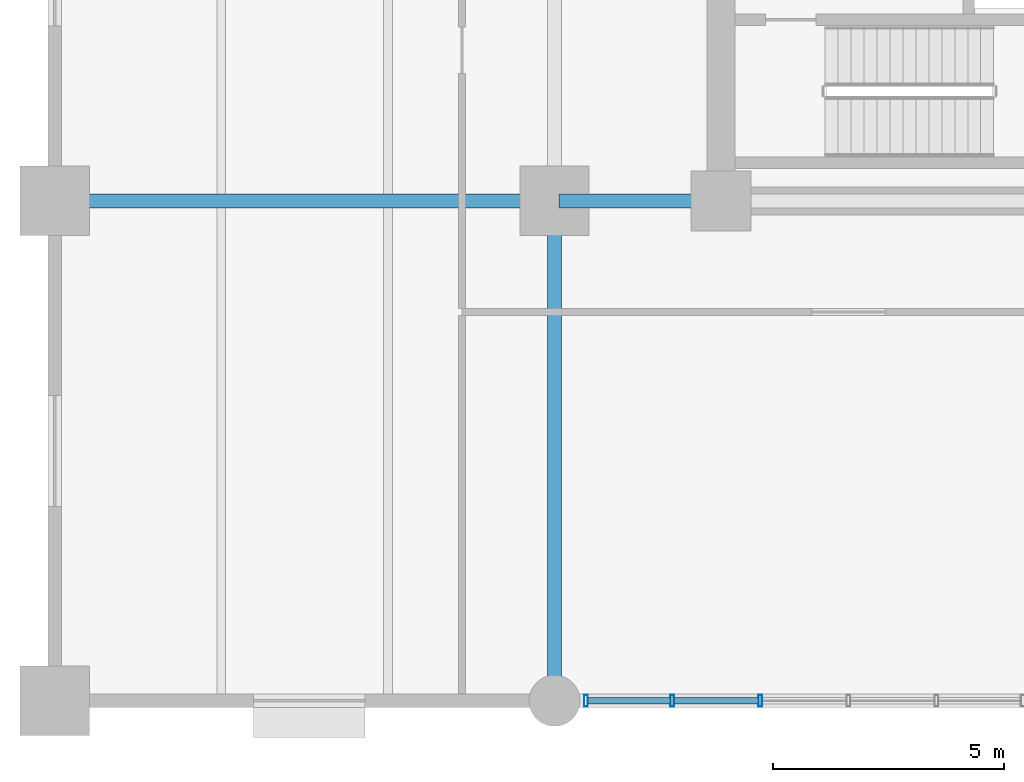
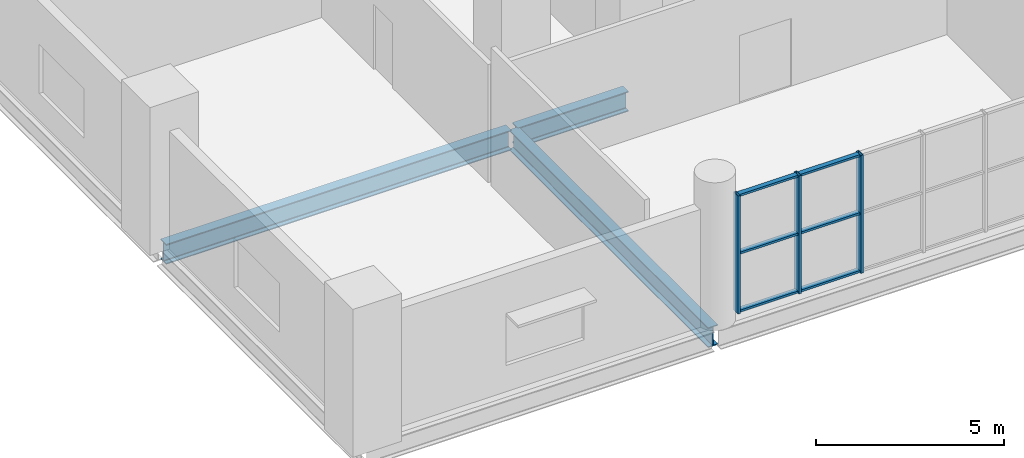
# One storey, part 2 of 16: 9 members, 3 beams, 1 element without a shape of its own.
"""IFC4 building model written with IfcOpenShell, lengths in metres."""

from ifc_helpers import new_model, si_unit, direction, frame, origin, origin_2d, place, context, subcontext, project, spatial, hollow_rectangle, i_section, extrude, material, layer, layer_set, material_profile, profile_set, type_object, element, aggregate, save


model = new_model("IFC4")

# Units and contexts
model_context = context("Model", 3, precision=1e-05, world=origin(), true_north=direction((0.0, 1.0)))
body_context = subcontext(model_context, "Body", "Model", "MODEL_VIEW")
ifc_project = project(units=[si_unit("LENGTHUNIT", "METRE"), si_unit("AREAUNIT", "SQUARE_METRE"), si_unit("VOLUMEUNIT", "CUBIC_METRE"), si_unit("PLANEANGLEUNIT", "RADIAN"), si_unit("MASSUNIT", "GRAM", prefix="KILO")], contexts=[model_context])

# Site, building, storey
site_placement = place(None, origin())
site = spatial("IfcSite", under=ifc_project, at=site_placement, CompositionType="ELEMENT")
building_placement = place(site_placement, origin())
building = spatial("IfcBuilding", under=site, at=building_placement, Name="Solnavia Interchange Tower", CompositionType="ELEMENT")
storey_placement = place(building_placement, frame((0.0, 0.0, 5.39990234375)))
storey = spatial("IfcBuildingStorey", under=building, at=storey_placement, Name="L01", CompositionType="ELEMENT", Elevation=5.39990234375)

# Beams
ifc_material_1 = material(Name="Steel S460", Category="steel")
ifc_material_profile_1 = material_profile(ifc_material_1, i_section(OverallWidth=0.300048828125, OverallDepth=0.64990234375, WebThickness=0.01611328125, FlangeThickness=0.031005859375, FilletRadius=0.027099609375, at=origin_2d()), Name="HEB 650")
ifc_profile_set_1 = profile_set([ifc_material_profile_1], Name="Steel S460")
beam_type = type_object("IfcBeamType", Name="Beam-Girder-HEB650", PredefinedType="BEAM", material=ifc_profile_set_1)
beam_1_placement = place(storey_placement, frame((0.10009765625, 10.800048828125, -0.625), z_axis=(1.0, 0.0, 0.0), x_axis=(0.0, 1.0, 0.0)))
element("IfcBeam", 1, at=beam_1_placement, inside=storey, type_object=beam_type, Name="GRD-L01-08 Podium primary girder", PredefinedType="BEAM", context=body_context, shape_type="SweptSolid", body=[
    extrude(i_section(OverallWidth=0.300048828125, OverallDepth=0.64990234375, WebThickness=0.01611328125, FlangeThickness=0.031005859375, FilletRadius=0.027099609375, at=origin_2d()), origin(), (0.0, 0.0, 1.0), 10.599853515625),
])
beam_2_placement = place(storey_placement, frame((10.89990234375, 10.800048828125, -0.625), z_axis=(1.0, 0.0, 0.0), x_axis=(0.0, 1.0, 0.0)))
element("IfcBeam", 2, at=beam_2_placement, inside=storey, type_object=beam_type, Name="GRD-L01-09 Podium primary girder", PredefinedType="BEAM", context=body_context, shape_type="SweptSolid", body=[
    extrude(i_section(OverallWidth=0.300048828125, OverallDepth=0.64990234375, WebThickness=0.01611328125, FlangeThickness=0.031005859375, FilletRadius=0.027099609375, at=origin_2d()), origin(), (0.0, 0.0, 1.0), 3.400146484375),
])
beam_3_placement = place(storey_placement, frame((10.800048828125, 0.10009765625, -0.625), z_axis=(0.0, 1.0, 0.0), x_axis=(-1.0, 0.0, 0.0)))
element("IfcBeam", 3, at=beam_3_placement, inside=storey, type_object=beam_type, Name="GRD-L01-49 Podium primary girder", PredefinedType="BEAM", context=body_context, shape_type="SweptSolid", body=[
    extrude(i_section(OverallWidth=0.300048828125, OverallDepth=0.64990234375, WebThickness=0.01611328125, FlangeThickness=0.031005859375, FilletRadius=0.027099609375, at=origin_2d()), origin(), (0.0, 0.0, 1.0), 10.599853515625),
])

# Curtain wall, members
ifc_material_2 = material(Name="Aluminium Alloy 6063-T6", Category="aluminium")
ifc_layer = layer(ifc_material_2, 0.27001953125)
ifc_layer_set = layer_set([ifc_layer], Name="Aluminium Alloy 6063-T6")
curtain_wall_type = type_object("IfcCurtainWallType", Name="CurtainWall-Podium-CTW1", PredefinedType="NOTDEFINED", material=ifc_layer_set)
curtain_wall_placement = place(storey_placement, origin())
curtain_wall = element("IfcCurtainWall", 4, at=curtain_wall_placement, inside=storey, type_object=curtain_wall_type, Name="CTW-L01-S02 CTW-1 curtain wall", PredefinedType="NOTDEFINED")
ifc_material_profile_2 = material_profile(ifc_material_2, hollow_rectangle(XDim=0.080078125, YDim=0.25, WallThickness=0.006103515625, at=origin_2d()), Name="ALU 250x80x6")
ifc_profile_set_2 = profile_set([ifc_material_profile_2], Name="Aluminium Alloy 6063-T6")
member_type_1 = type_object("IfcMemberType", Name="CW-Mullion-CWM-1", PredefinedType="MULLION", material=ifc_profile_set_2)
member_1_placement = place(storey_placement, frame((15.248046875, 0.0, 0.0), z_axis=(0.0, 0.0, 1.0), x_axis=(-1.0, 0.0, 0.0)))
member_1 = element("IfcMember", 5, at=member_1_placement, type_object=member_type_1, Name="CTW-1 mullion 4", PredefinedType="MULLION", context=body_context, shape_type="SweptSolid", body=[
    extrude(hollow_rectangle(XDim=0.080078125, YDim=0.25, WallThickness=0.006103515625, at=origin_2d()), origin(), (0.0, 0.0, 1.0), 3.830078125),
])
member_2_placement = place(storey_placement, frame((13.343994140625, 0.0, 0.0), z_axis=(0.0, 0.0, 1.0), x_axis=(-1.0, 0.0, 0.0)))
member_2 = element("IfcMember", 6, at=member_2_placement, type_object=member_type_1, Name="CTW-1 mullion 5", PredefinedType="MULLION", context=body_context, shape_type="SweptSolid", body=[
    extrude(hollow_rectangle(XDim=0.080078125, YDim=0.25, WallThickness=0.006103515625, at=origin_2d()), origin(), (0.0, 0.0, 1.0), 3.830078125),
])
member_3_placement = place(storey_placement, frame((11.47998046875, 0.0, 0.0), z_axis=(0.0, 0.0, 1.0), x_axis=(-1.0, 0.0, 0.0)))
member_3 = element("IfcMember", 7, at=member_3_placement, type_object=member_type_1, Name="CTW-1 mullion 6", PredefinedType="MULLION", context=body_context, shape_type="SweptSolid", body=[
    extrude(hollow_rectangle(XDim=0.080078125, YDim=0.25, WallThickness=0.006103515625, at=origin_2d()), origin(), (0.0, 0.0, 1.0), 3.830078125),
])
ifc_material_profile_3 = material_profile(ifc_material_2, hollow_rectangle(XDim=0.070068359375, YDim=0.14990234375, WallThickness=0.00439453125, at=origin_2d()), Name="ALU 150x70x4.5")
ifc_profile_set_3 = profile_set([ifc_material_profile_3], Name="Aluminium Alloy 6063-T6")
member_type_2 = type_object("IfcMemberType", Name="CW-Transom-CWT-1", PredefinedType="USERDEFINED", material=ifc_profile_set_3)
member_4_placement = place(storey_placement, frame((15.2080078125, 0.0, 0.03515625), z_axis=(-1.0, 0.0, 0.0), x_axis=(0.0, 0.0, 1.0)))
member_4 = element("IfcMember", 8, at=member_4_placement, type_object=member_type_2, Name="CTW-1 transom 4.1", ObjectType="TRANSOM", PredefinedType="USERDEFINED", context=body_context, shape_type="SweptSolid", body=[
    extrude(hollow_rectangle(XDim=0.070068359375, YDim=0.14990234375, WallThickness=0.00439453125, at=origin_2d()), origin(), (0.0, 0.0, 1.0), 1.823974609375),
])
member_5_placement = place(storey_placement, frame((15.2080078125, 0.0, 1.9150390625), z_axis=(-1.0, 0.0, 0.0), x_axis=(0.0, 0.0, 1.0)))
member_5 = element("IfcMember", 9, at=member_5_placement, type_object=member_type_2, Name="CTW-1 transom 4.2", ObjectType="TRANSOM", PredefinedType="USERDEFINED", context=body_context, shape_type="SweptSolid", body=[
    extrude(hollow_rectangle(XDim=0.070068359375, YDim=0.14990234375, WallThickness=0.00439453125, at=origin_2d()), origin(), (0.0, 0.0, 1.0), 1.823974609375),
])
member_6_placement = place(storey_placement, frame((15.2080078125, 0.0, 3.795166015625), z_axis=(-1.0, 0.0, 0.0), x_axis=(0.0, 0.0, 1.0)))
member_6 = element("IfcMember", 10, at=member_6_placement, type_object=member_type_2, Name="CTW-1 transom 4.3", ObjectType="TRANSOM", PredefinedType="USERDEFINED", context=body_context, shape_type="SweptSolid", body=[
    extrude(hollow_rectangle(XDim=0.070068359375, YDim=0.14990234375, WallThickness=0.00439453125, at=origin_2d()), origin(), (0.0, 0.0, 1.0), 1.823974609375),
])
member_7_placement = place(storey_placement, frame((13.303955078125, 0.0, 0.03515625), z_axis=(-1.0, 0.0, 0.0), x_axis=(0.0, 0.0, 1.0)))
member_7 = element("IfcMember", 11, at=member_7_placement, type_object=member_type_2, Name="CTW-1 transom 5.1", ObjectType="TRANSOM", PredefinedType="USERDEFINED", context=body_context, shape_type="SweptSolid", body=[
    extrude(hollow_rectangle(XDim=0.070068359375, YDim=0.14990234375, WallThickness=0.00439453125, at=origin_2d()), origin(), (0.0, 0.0, 1.0), 1.783935546875),
])
member_8_placement = place(storey_placement, frame((13.303955078125, 0.0, 1.9150390625), z_axis=(-1.0, 0.0, 0.0), x_axis=(0.0, 0.0, 1.0)))
member_8 = element("IfcMember", 12, at=member_8_placement, type_object=member_type_2, Name="CTW-1 transom 5.2", ObjectType="TRANSOM", PredefinedType="USERDEFINED", context=body_context, shape_type="SweptSolid", body=[
    extrude(hollow_rectangle(XDim=0.070068359375, YDim=0.14990234375, WallThickness=0.00439453125, at=origin_2d()), origin(), (0.0, 0.0, 1.0), 1.783935546875),
])
member_9_placement = place(storey_placement, frame((13.303955078125, 0.0, 3.795166015625), z_axis=(-1.0, 0.0, 0.0), x_axis=(0.0, 0.0, 1.0)))
member_9 = element("IfcMember", 13, at=member_9_placement, type_object=member_type_2, Name="CTW-1 transom 5.3", ObjectType="TRANSOM", PredefinedType="USERDEFINED", context=body_context, shape_type="SweptSolid", body=[
    extrude(hollow_rectangle(XDim=0.070068359375, YDim=0.14990234375, WallThickness=0.00439453125, at=origin_2d()), origin(), (0.0, 0.0, 1.0), 1.783935546875),
])
aggregate(curtain_wall, [member_1, member_2, member_3, member_4, member_5, member_6, member_7, member_8, member_9])

save(model, "model.ifc")
